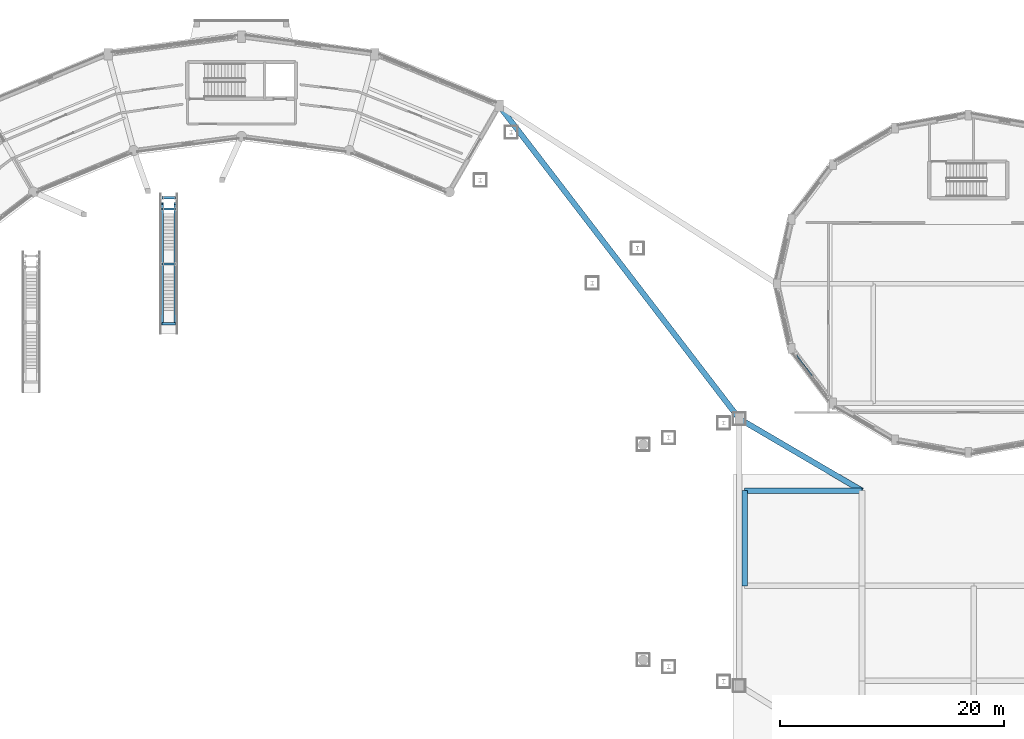
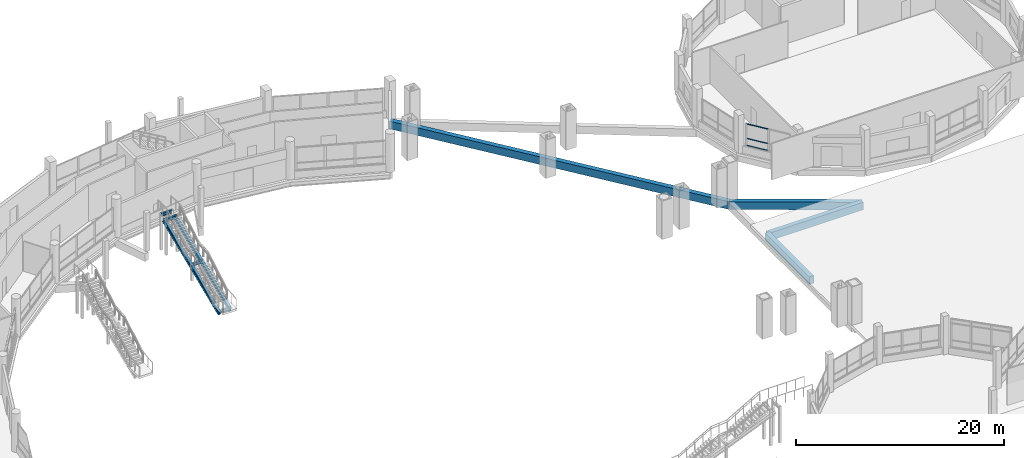
# One storey, part 56 of 129: 12 beams, 3 members, 1 element without a shape of its own.
"""IFC4 building model written with IfcOpenShell, lengths in metres."""

from ifc_helpers import new_model, si_unit, direction, frame, origin, origin_2d, place, context, subcontext, project, spatial, rectangle, hollow_rectangle, i_section, extrude, material, layer, layer_set, material_profile, profile_set, type_object, element, aggregate, save


model = new_model("IFC4")

# Units and contexts
model_context = context("Model", 3, precision=1e-05, world=origin(), true_north=direction((0.0, 1.0)))
body_context = subcontext(model_context, "Body", "Model", "MODEL_VIEW")
ifc_project = project(units=[si_unit("LENGTHUNIT", "METRE"), si_unit("AREAUNIT", "SQUARE_METRE"), si_unit("VOLUMEUNIT", "CUBIC_METRE"), si_unit("PLANEANGLEUNIT", "RADIAN"), si_unit("MASSUNIT", "GRAM", prefix="KILO")], contexts=[model_context])

# Site, building, storey
site_placement = place(None, origin())
site = spatial("IfcSite", under=ifc_project, at=site_placement, CompositionType="ELEMENT")
building_placement = place(site_placement, origin())
building = spatial("IfcBuilding", under=site, at=building_placement, Name="Vespera Passage Community Centre", CompositionType="ELEMENT")
storey_placement = place(building_placement, origin())
storey = spatial("IfcBuildingStorey", under=building, at=storey_placement, Name="L00", CompositionType="ELEMENT", Elevation=0.0)

# Beams
ifc_material_1 = material(Name="Concrete f'c 45 MPa", Category="concrete")
ifc_material_profile_1 = material_profile(ifc_material_1, rectangle(XDim=0.5, YDim=0.89990234375, at=origin_2d()), Name="RC500X900")
ifc_profile_set_1 = profile_set([ifc_material_profile_1], Name="Concrete f'c 45 MPa")
beam_type_1 = type_object("IfcBeamType", Name="BM-G-500X900", PredefinedType="BEAM", material=ifc_profile_set_1)
beam_1_placement = place(storey_placement, frame((123.0, 62.5, -0.7900390625), z_axis=(0.0, 1.0, 0.0), x_axis=(-1.0, 0.0, 0.0)))
element("IfcBeam", 1, at=beam_1_placement, inside=storey, type_object=beam_type_1, Name="B1 Car Park Deck Girder GAR-C13-GAR-C14", PredefinedType="BEAM", context=body_context, shape_type="SweptSolid", body=[
    extrude(rectangle(XDim=0.5, YDim=0.89990234375, at=origin_2d()), origin(), (0.0, 0.0, 1.0), 8.5),
])
beam_2_placement = place(storey_placement, frame((123.0, 71.0, -0.7900390625), z_axis=(1.0, 0.0, 0.0), x_axis=(0.0, 1.0, 0.0)))
element("IfcBeam", 2, at=beam_2_placement, inside=storey, type_object=beam_type_1, Name="B1 Car Park Deck Girder GAR-C14-GAR-C24", PredefinedType="BEAM", context=body_context, shape_type="SweptSolid", body=[
    extrude(rectangle(XDim=0.5, YDim=0.89990234375, at=origin_2d()), origin(), (0.0, 0.0, 1.0), 10.5),
])
beam_3_placement = place(storey_placement, frame((122.529296875, 77.431640625, -0.7900390625), z_axis=(-0.608762983212, 0.793352147707, 0.0), x_axis=(-0.793352147707, -0.608762983212, 0.0)))
element("IfcBeam", 3, at=beam_3_placement, inside=storey, type_object=beam_type_1, Name="Subgrade Structural Tie Girder 8", PredefinedType="BEAM", context=body_context, shape_type="SweptSolid", body=[
    extrude(rectangle(XDim=0.5, YDim=0.89990234375, at=origin_2d()), origin(), (0.0, 0.0, 1.0), 35.283447265625),
])
beam_4_placement = place(storey_placement, frame((122.529296875, 77.431640625, -0.7900390625), z_axis=(0.862679485115, -0.505751031598, 0.0), x_axis=(0.505751031598, 0.862679485115, 0.0)))
element("IfcBeam", 4, at=beam_4_placement, inside=storey, type_object=beam_type_1, Name="Subgrade Structural Tie Girder 9", PredefinedType="BEAM", context=body_context, shape_type="SweptSolid", body=[
    extrude(rectangle(XDim=0.5, YDim=0.89990234375, at=origin_2d()), origin(), (0.0, 0.0, 1.0), 12.717041015625),
])
ifc_material_2 = material(Name="Steel ASTM A992 Grade 50", Category="steel")
ifc_material_profile_2 = material_profile(ifc_material_2, i_section(OverallWidth=0.280517578125, OverallDepth=0.46240234375, WebThickness=0.0107421875, FlangeThickness=0.017333984375, FilletRadius=0.01025390625, at=origin_2d()), Name="W18X76")
ifc_profile_set_2 = profile_set([ifc_material_profile_2], Name="Steel ASTM A992 Grade 50")
beam_type_2 = type_object("IfcBeamType", Name="BM-RB-W18X76E", PredefinedType="SPANDREL", material=ifc_profile_set_2)
beam_5_placement = place(storey_placement, frame((72.094970703125, 85.925048828125, -0.679931640625), z_axis=(0.0, 0.92179366475, 0.38768084764), x_axis=(-1.0, 0.0, 0.0)))
element("IfcBeam", 5, at=beam_5_placement, inside=storey, type_object=beam_type_2, Name="ST-CRT-03 Stringer 1.1", PredefinedType="SPANDREL", context=body_context, shape_type="SweptSolid", body=[
    extrude(i_section(OverallWidth=0.280517578125, OverallDepth=0.46240234375, WebThickness=0.0107421875, FlangeThickness=0.017333984375, FilletRadius=0.01025390625, at=origin_2d()), origin(), (0.0, 0.0, 1.0), 5.8037109375),
])
beam_6_placement = place(storey_placement, frame((72.094970703125, 91.27490234375, 1.570068359375), z_axis=(0.0, 0.923706596521, 0.383100670246), x_axis=(-1.0, 0.0, 0.0)))
element("IfcBeam", 6, at=beam_6_placement, inside=storey, type_object=beam_type_2, Name="ST-CRT-03 Stringer 1.2", PredefinedType="SPANDREL", context=body_context, shape_type="SweptSolid", body=[
    extrude(i_section(OverallWidth=0.280517578125, OverallDepth=0.46240234375, WebThickness=0.0107421875, FlangeThickness=0.017333984375, FilletRadius=0.01025390625, at=origin_2d()), origin(), (0.0, 0.0, 1.0), 5.873046875),
])
beam_7_placement = place(storey_placement, frame((70.905029296875, 85.925048828125, -0.679931640625), z_axis=(0.0, 0.92179366475, 0.38768084764), x_axis=(-1.0, 0.0, 0.0)))
element("IfcBeam", 7, at=beam_7_placement, inside=storey, type_object=beam_type_2, Name="ST-CRT-03 Stringer 2.1", PredefinedType="SPANDREL", context=body_context, shape_type="SweptSolid", body=[
    extrude(i_section(OverallWidth=0.280517578125, OverallDepth=0.46240234375, WebThickness=0.0107421875, FlangeThickness=0.017333984375, FilletRadius=0.01025390625, at=origin_2d()), origin(), (0.0, 0.0, 1.0), 5.8037109375),
])
beam_8_placement = place(storey_placement, frame((70.905029296875, 91.27490234375, 1.570068359375), z_axis=(0.0, 0.923706596521, 0.383100670246), x_axis=(-1.0, 0.0, 0.0)))
element("IfcBeam", 8, at=beam_8_placement, inside=storey, type_object=beam_type_2, Name="ST-CRT-03 Stringer 2.2", PredefinedType="SPANDREL", context=body_context, shape_type="SweptSolid", body=[
    extrude(i_section(OverallWidth=0.280517578125, OverallDepth=0.46240234375, WebThickness=0.0107421875, FlangeThickness=0.017333984375, FilletRadius=0.01025390625, at=origin_2d()), origin(), (0.0, 0.0, 1.0), 5.873046875),
])
ifc_material_3 = material(Name="Steel ASTM A992 Grade 50", Category="steel")
ifc_material_profile_3 = material_profile(ifc_material_3, i_section(OverallWidth=0.2041015625, OverallDepth=0.3505859375, WebThickness=0.008544921875, FlangeThickness=0.01513671875, FilletRadius=0.01513671875, at=origin_2d()), Name="W14X48")
ifc_profile_set_3 = profile_set([ifc_material_profile_3], Name="Steel ASTM A992 Grade 50")
beam_type_3 = type_object("IfcBeamType", Name="BM-STR-W14X48E", PredefinedType="BEAM", material=ifc_profile_set_3)
for number, where, z_axis, x_axis, name in (
    (9, (72.094970703125, 85.925048828125, -0.43505859375), (-1.0, 0.0, 0.0), (0.0, -1.0, 0.0), "ST-CRT-03 B Header"),
    (10, (72.094970703125, 91.27490234375, 1.81494140625), (-1.0, 0.0, 0.0), (0.0, -1.0, 0.0), "ST-CRT-03 M Header"),
    (11, (72.094970703125, 96.199951171875, 4.06494140625), (-1.0, 0.0, 0.0), (0.0, -1.0, 0.0), "ST-CRT-03 T Header"),
    (12, (72.094970703125, 97.199951171875, 4.06494140625), (-1.0, 0.0, 0.0), (0.0, -1.0, 0.0), "ST-CRT-03 TF Header"),
):
    element("IfcBeam", number, at=place(storey_placement, frame(where, z_axis=z_axis, x_axis=x_axis)), inside=storey, type_object=beam_type_3, Name=name, PredefinedType="BEAM", context=body_context, shape_type="SweptSolid", body=[
        extrude(i_section(OverallWidth=0.2041015625, OverallDepth=0.3505859375, WebThickness=0.008544921875, FlangeThickness=0.01513671875, FilletRadius=0.01513671875, at=origin_2d()), origin(), (0.0, 0.0, 1.0), 1.18994140625),
    ])

# Curtain wall, members
ifc_material_4 = material(Name="Anodized aluminium 6063-T6", Category="aluminium")
ifc_layer = layer(ifc_material_4, 0.159912109375)
ifc_layer_set = layer_set([ifc_layer], Name="Anodized aluminium 6063-T6")
curtain_wall_type = type_object("IfcCurtainWallType", Name="CW-90E", PredefinedType="NOTDEFINED", material=ifc_layer_set)
curtain_wall_placement = place(storey_placement, origin())
curtain_wall = element("IfcCurtainWall", 13, at=curtain_wall_placement, inside=storey, type_object=curtain_wall_type, Name="Sports Drum Ribbon Curtain Wall L00.10", PredefinedType="NOTDEFINED")
ifc_material_5 = material(Name="Anodized aluminium 6063-T6", Category="aluminium")
ifc_material_profile_4 = material_profile(ifc_material_5, hollow_rectangle(XDim=0.06005859375, YDim=0.1201171875, WallThickness=0.00390625, InnerFilletRadius=0.001953125, OuterFilletRadius=0.00390625, at=origin_2d()), Name="ALU120X60X4")
ifc_profile_set_4 = profile_set([ifc_material_profile_4], Name="Anodized aluminium 6063-T6")
member_type = type_object("IfcMemberType", Name="MB-CWT-120E", PredefinedType="USERDEFINED", material=ifc_profile_set_4)
member_1_placement = place(storey_placement, frame((129.032470703125, 81.302001953125, 0.8798828125), z_axis=(-0.603384780926, 0.797450190386, 0.0), x_axis=(-0.797450190386, -0.603384780926, 0.0)))
member_1 = element("IfcMember", 14, at=member_1_placement, type_object=member_type, Name="CW-90E transom 2.1", ObjectType="TRANSOM", PredefinedType="USERDEFINED", context=body_context, shape_type="SweptSolid", body=[
    extrude(hollow_rectangle(XDim=0.06005859375, YDim=0.1201171875, WallThickness=0.00390625, InnerFilletRadius=0.001953125, OuterFilletRadius=0.00390625, at=origin_2d()), origin(), (0.0, 0.0, 1.0), 2.246826171875),
])
member_2_placement = place(storey_placement, frame((129.032470703125, 81.302001953125, 1.699951171875), z_axis=(-0.603384780926, 0.797450190386, 0.0), x_axis=(-0.797450190386, -0.603384780926, 0.0)))
member_2 = element("IfcMember", 15, at=member_2_placement, type_object=member_type, Name="CW-90E transom 2.2", ObjectType="TRANSOM", PredefinedType="USERDEFINED", context=body_context, shape_type="SweptSolid", body=[
    extrude(hollow_rectangle(XDim=0.06005859375, YDim=0.1201171875, WallThickness=0.00390625, InnerFilletRadius=0.001953125, OuterFilletRadius=0.00390625, at=origin_2d()), origin(), (0.0, 0.0, 1.0), 2.246826171875),
])
member_3_placement = place(storey_placement, frame((129.032470703125, 81.302001953125, 3.39501953125), z_axis=(-0.603384780926, 0.797450190386, 0.0), x_axis=(-0.797450190386, -0.603384780926, 0.0)))
member_3 = element("IfcMember", 16, at=member_3_placement, type_object=member_type, Name="CW-90E transom 2.3", ObjectType="TRANSOM", PredefinedType="USERDEFINED", context=body_context, shape_type="SweptSolid", body=[
    extrude(hollow_rectangle(XDim=0.06005859375, YDim=0.1201171875, WallThickness=0.00390625, InnerFilletRadius=0.001953125, OuterFilletRadius=0.00390625, at=origin_2d()), origin(), (0.0, 0.0, 1.0), 2.246826171875),
])
aggregate(curtain_wall, [member_1, member_2, member_3])

save(model, "model.ifc")
